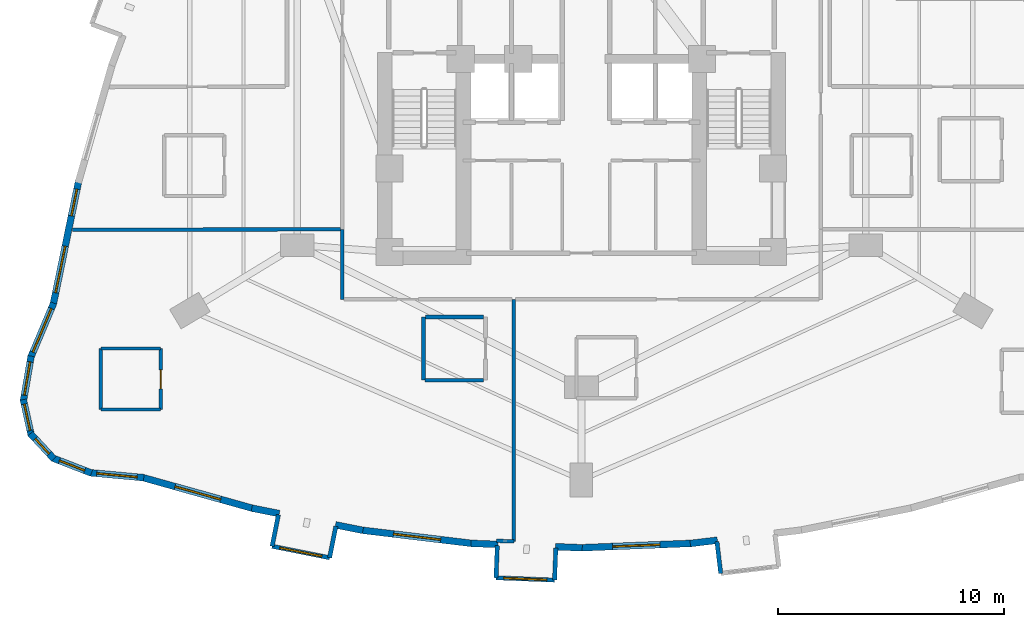
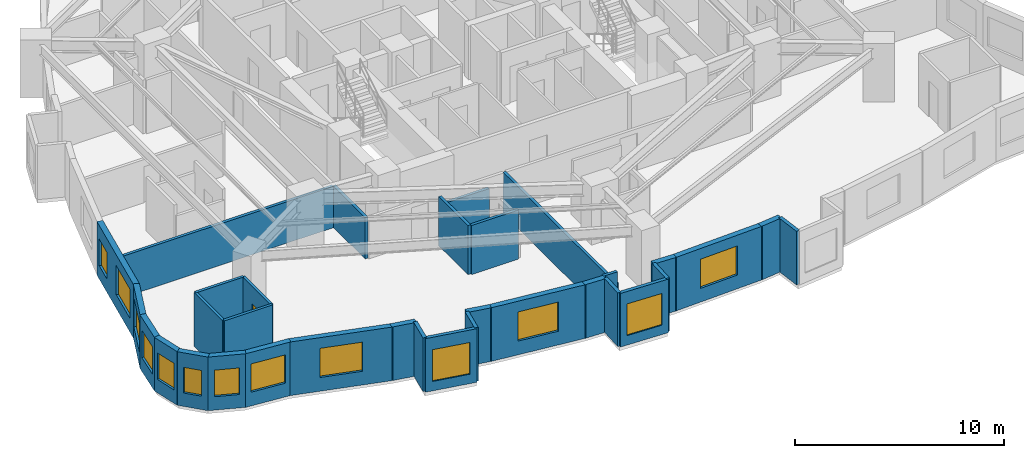
# One storey, part 6 of 13: 33 walls, 13 windows, 1 door, 14 openings.
"""IFC4 building model written with IfcOpenShell, lengths in metres."""

from ifc_helpers import new_model, si_unit, direction, frame, frame_2d, origin, place, context, subcontext, project, spatial, rectangle, extrude, material, layer, layer_set, type_object, element, fill, save


model = new_model("IFC4")

# Units and contexts
model_context = context("Model", 3, precision=1e-05, world=origin(), true_north=direction((0.0, 1.0)))
body_context = subcontext(model_context, "Body", "Model", "MODEL_VIEW")
ifc_project = project(units=[si_unit("LENGTHUNIT", "METRE"), si_unit("AREAUNIT", "SQUARE_METRE"), si_unit("VOLUMEUNIT", "CUBIC_METRE"), si_unit("PLANEANGLEUNIT", "RADIAN"), si_unit("MASSUNIT", "GRAM", prefix="KILO")], contexts=[model_context])

# Site, building, storey
site_placement = place(None, origin())
site = spatial("IfcSite", under=ifc_project, at=site_placement, CompositionType="ELEMENT")
building_placement = place(site_placement, origin())
building = spatial("IfcBuilding", under=site, at=building_placement, Name="Miruveldt Soraemaru", CompositionType="ELEMENT")
storey_placement = place(building_placement, frame((0.0, 0.0, 46.199951171875)))
storey = spatial("IfcBuildingStorey", under=building, at=storey_placement, Name="L12", CompositionType="ELEMENT", Elevation=46.199951171875)

# Walls
ifc_material_1 = material(Name="White powder-coated aluminium EN AW-6060 T6", Category="aluminium")
ifc_layer_1 = layer(ifc_material_1, 0.18994140625, Name="White powder-coated aluminium EN AW-6060 T6", Category="aluminium")
ifc_layer_set_1 = layer_set([ifc_layer_1], Name="White powder-coated aluminium EN AW-6060 T6")
wall_type_1 = type_object("IfcWallType", Name="WALL-BAY-ALU190", PredefinedType="SOLIDWALL", material=ifc_layer_set_1)
wall_1_placement = place(storey_placement, frame((30.56689453125, 23.84814453125, 0.0), z_axis=(0.0, 0.0, 1.0), x_axis=(-0.196149079112, -0.980574086321, 0.0)))
element("IfcWall", 1, at=wall_1_placement, inside=storey, type_object=wall_type_1, Name="L12 Bay Window Side Cheek 2L", PredefinedType="SOLIDWALL", context=body_context, shape_type="SweptSolid", body=[
    extrude(rectangle(XDim=1.425048828125, YDim=0.18994140625, at=frame_2d((0.71240234375, 0.0))), origin(), (0.0, 0.0, 1.0), 3.125),
])
wall_2_placement = place(storey_placement, frame((32.8369140625, 21.94091796875, 0.0), z_axis=(0.0, 0.0, 1.0), x_axis=(0.196182033934, 0.980567493629, 0.0)))
element("IfcWall", 2, at=wall_2_placement, inside=storey, type_object=wall_type_1, Name="L12 Bay Window Side Cheek 2R", PredefinedType="SOLIDWALL", context=body_context, shape_type="SweptSolid", body=[
    extrude(rectangle(XDim=1.4248046875, YDim=0.18994140625, at=frame_2d((0.71240234375, 0.0))), origin(), (0.0, 0.0, 1.0), 3.125),
])

# Wall, opening, window
wall_3_placement = place(storey_placement, frame((30.287353515625, 22.45068359375, 0.0), z_axis=(0.0, 0.0, 1.0), x_axis=(0.980591508741, -0.196061962104, 0.0)))
wall_3 = element("IfcWall", 3, at=wall_3_placement, inside=storey, type_object=wall_type_1, Name="L12 Bay Window Front Frame 2", PredefinedType="SOLIDWALL", context=body_context, shape_type="SweptSolid", body=[
    extrude(rectangle(XDim=2.60009765625, YDim=0.18994140625, at=frame_2d((1.300048828125, 0.0))), origin(), (0.0, 0.0, 1.0), 3.125),
])
opening_1_placement = place(wall_3_placement, frame((0.35009765625, 0.0, 0.550048828125)))
opening_1 = element("IfcOpeningElement", 4, at=opening_1_placement, cuts=wall_3, Name="Opening WN-6", PredefinedType="OPENING", context=body_context, shape_type="SweptSolid", body=[
    extrude(rectangle(XDim=1.89990234375, YDim=1.85009765625, at=frame_2d((0.949951171875, 0.925048828125))), frame((0.0, 0.10498046875, 0.0), z_axis=(0.0, -1.0, 0.0), x_axis=(1.0, 0.0, 0.0)), (0.0, 0.0, 1.0), 0.2099609375),
])
ifc_material_2 = material(Name="Triple low-e insulated glazing", Category="glass")
window_type_1 = type_object("IfcWindowType", Name="WIN-BAYW-1900x1850", PartitioningType="SINGLE_PANEL", PredefinedType="WINDOW", material=ifc_material_2)
window_1_placement = place(opening_1_placement, origin())
window_1 = element("IfcWindow", 5, at=window_1_placement, inside=storey, type_object=window_type_1, Name="L12 Projecting Bay Window 2", OverallHeight=1.85009765625, OverallWidth=1.89990234375, PartitioningType="SINGLE_PANEL", PredefinedType="WINDOW", context=body_context, shape_type="SweptSolid", body=[
    extrude(rectangle(XDim=1.89990234375, YDim=1.85009765625, at=frame_2d((0.949951171875, 0.925048828125))), frame((0.0, 0.030029296875, 0.0), z_axis=(0.0, -1.0, 0.0), x_axis=(1.0, 0.0, 0.0)), (0.0, 0.0, 1.0), 0.06005859375),
])
fill(opening_1, window_1)

# Walls
for number, where, z_axis, x_axis, name in (
    (6, (40.269287109375, 22.477783203125, 0.0), (0.0, 0.0, 1.0), (-0.039926977512, -0.99920260031, 0.0), "L12 Bay Window Side Cheek 3L"),
    (7, (42.810302734375, 20.9501953125, 0.0), (0.0, 0.0, 1.0), (0.039926977512, 0.99920260031, 0.0), "L12 Bay Window Side Cheek 3R"),
):
    element("IfcWall", number, at=place(storey_placement, frame(where, z_axis=z_axis, x_axis=x_axis)), inside=storey, type_object=wall_type_1, Name=name, PredefinedType="SOLIDWALL", context=body_context, shape_type="SweptSolid", body=[
        extrude(rectangle(XDim=1.4248046875, YDim=0.18994140625, at=frame_2d((0.71240234375, 0.0))), origin(), (0.0, 0.0, 1.0), 3.125),
    ])

# Wall, opening, window
wall_4_placement = place(storey_placement, frame((40.21240234375, 21.05419921875, 0.0), z_axis=(0.0, 0.0, 1.0), x_axis=(0.999199608139, -0.040001788654, 0.0)))
wall_4 = element("IfcWall", 8, at=wall_4_placement, inside=storey, type_object=wall_type_1, Name="L12 Bay Window Front Frame 3", PredefinedType="SOLIDWALL", context=body_context, shape_type="SweptSolid", body=[
    extrude(rectangle(XDim=2.60009765625, YDim=0.18994140625, at=frame_2d((1.300048828125, 0.0))), origin(), (0.0, 0.0, 1.0), 3.125),
])
opening_2_placement = place(wall_4_placement, frame((0.35009765625, 0.0, 0.550048828125)))
opening_2 = element("IfcOpeningElement", 9, at=opening_2_placement, cuts=wall_4, Name="Opening WN-6", PredefinedType="OPENING", context=body_context, shape_type="SweptSolid", body=[
    extrude(rectangle(XDim=1.89990234375, YDim=1.85009765625, at=frame_2d((0.949951171875, 0.925048828125))), frame((0.0, 0.10498046875, 0.0), z_axis=(0.0, -1.0, 0.0), x_axis=(1.0, 0.0, 0.0)), (0.0, 0.0, 1.0), 0.2099609375),
])
window_2_placement = place(opening_2_placement, origin())
window_2 = element("IfcWindow", 10, at=window_2_placement, inside=storey, type_object=window_type_1, Name="L12 Projecting Bay Window 3", OverallHeight=1.85009765625, OverallWidth=1.89990234375, PartitioningType="SINGLE_PANEL", PredefinedType="WINDOW", context=body_context, shape_type="SweptSolid", body=[
    extrude(rectangle(XDim=1.89990234375, YDim=1.85009765625, at=frame_2d((0.949951171875, 0.925048828125))), frame((0.0, 0.030029296875, 0.0), z_axis=(0.0, -1.0, 0.0), x_axis=(1.0, 0.0, 0.0)), (0.0, 0.0, 1.0), 0.06005859375),
])
fill(opening_2, window_2)

# Wall
wall_5_placement = place(storey_placement, frame((50.00439453125, 22.66015625, 0.0), z_axis=(0.0, 0.0, 1.0), x_axis=(0.119077659317, -0.992884943511, 0.0)))
element("IfcWall", 11, at=wall_5_placement, inside=storey, type_object=wall_type_1, Name="L12 Bay Window Side Cheek 4L", PredefinedType="SOLIDWALL", context=body_context, shape_type="SweptSolid", body=[
    extrude(rectangle(XDim=1.425048828125, YDim=0.18994140625, at=frame_2d((0.71240234375, 0.0))), origin(), (0.0, 0.0, 1.0), 3.125),
])

# Wall, openings, windows
ifc_material_3 = material(Name="Precast concrete C45/55 (45 MPa)", Category="concrete")
ifc_layer_2 = layer(ifc_material_3, 0.300048828125, Name="Precast concrete C45/55 (45 MPa)", Category="concrete")
ifc_layer_set_2 = layer_set([ifc_layer_2], Name="Precast concrete C45/55 (45 MPa)")
wall_type_2 = type_object("IfcWallType", Name="WALL-EXT-PC300", PredefinedType="SOLIDWALL", material=ifc_layer_set_2)
wall_6_placement = place(storey_placement, frame((21.70751953125, 38.628662109375, 0.0), z_axis=(0.0, 0.0, 1.0), x_axis=(-0.20157756221, -0.979472555212, 0.0)))
wall_6 = element("IfcWall", 12, at=wall_6_placement, inside=storey, type_object=wall_type_2, Name="L12 Precast Concrete Facade Wall 14", PredefinedType="SOLIDWALL", context=body_context, shape_type="SweptSolid", body=[
    extrude(rectangle(XDim=5.576171875, YDim=0.300048828125, at=frame_2d((2.7880859375, 0.0))), origin(), (0.0, 0.0, 1.0), 3.125),
])
opening_3_placement = place(wall_6_placement, frame((0.35888671875, 0.0, 0.780029296875)))
opening_3 = element("IfcOpeningElement", 13, at=opening_3_placement, cuts=wall_6, Name="Opening WN-4", PredefinedType="OPENING", context=body_context, shape_type="SweptSolid", body=[
    extrude(rectangle(XDim=1.199951171875, YDim=1.550048828125, at=frame_2d((0.60009765625, 0.77490234375))), frame((0.0, 0.16015625, 0.0), z_axis=(0.0, -1.0, 0.0), x_axis=(1.0, 0.0, 0.0)), (0.0, 0.0, 1.0), 0.320068359375),
])
opening_4_placement = place(wall_6_placement, frame((2.93603515625, 0.0, 0.800048828125)))
opening_4 = element("IfcOpeningElement", 14, at=opening_4_placement, cuts=wall_6, Name="Opening WN-1", PredefinedType="OPENING", context=body_context, shape_type="SweptSolid", body=[
    extrude(rectangle(XDim=2.10009765625, YDim=1.699951171875, at=frame_2d((1.050048828125, 0.85009765625))), frame((0.0, 0.16015625, 0.0), z_axis=(0.0, -1.0, 0.0), x_axis=(1.0, 0.0, 0.0)), (0.0, 0.0, 1.0), 0.320068359375),
])
window_type_2 = type_object("IfcWindowType", Name="WIN-PUNCH-1200x1550", PartitioningType="SINGLE_PANEL", PredefinedType="WINDOW", material=ifc_material_2)
window_3_placement = place(opening_3_placement, origin())
window_3 = element("IfcWindow", 15, at=window_3_placement, inside=storey, type_object=window_type_2, Name="L12 Punched Triple-Glazed Window 14.1", OverallHeight=1.550048828125, OverallWidth=1.199951171875, PartitioningType="SINGLE_PANEL", PredefinedType="WINDOW", context=body_context, shape_type="SweptSolid", body=[
    extrude(rectangle(XDim=1.199951171875, YDim=1.550048828125, at=frame_2d((0.60009765625, 0.77490234375))), frame((0.0, 0.030029296875, 0.0), z_axis=(0.0, -1.0, 0.0), x_axis=(1.0, 0.0, 0.0)), (0.0, 0.0, 1.0), 0.06005859375),
])
fill(opening_3, window_3)
window_type_3 = type_object("IfcWindowType", Name="WIN-PUNCH-2100x1700", PartitioningType="SINGLE_PANEL", PredefinedType="WINDOW", material=ifc_material_2)
window_4_placement = place(opening_4_placement, origin())
window_4 = element("IfcWindow", 16, at=window_4_placement, inside=storey, type_object=window_type_3, Name="L12 Punched Triple-Glazed Window 14.2", OverallHeight=1.699951171875, OverallWidth=2.10009765625, PartitioningType="SINGLE_PANEL", PredefinedType="WINDOW", context=body_context, shape_type="SweptSolid", body=[
    extrude(rectangle(XDim=2.10009765625, YDim=1.699951171875, at=frame_2d((1.050048828125, 0.85009765625))), frame((0.0, 0.030029296875, 0.0), z_axis=(0.0, -1.0, 0.0), x_axis=(1.0, 0.0, 0.0)), (0.0, 0.0, 1.0), 0.06005859375),
])
fill(opening_4, window_4)

# Wall, opening, window
wall_7_placement = place(storey_placement, frame((20.604248046875, 33.2333984375, 0.0), z_axis=(0.0, 0.0, 1.0), x_axis=(-0.388605550907, -0.921404214123, 0.0)))
wall_7 = element("IfcWall", 17, at=wall_7_placement, inside=storey, type_object=wall_type_2, Name="L12 Precast Concrete Facade Wall 15", PredefinedType="SOLIDWALL", context=body_context, shape_type="SweptSolid", body=[
    extrude(rectangle(XDim=2.6259765625, YDim=0.300048828125, at=frame_2d((1.31298828125, 0.0))), origin(), (0.0, 0.0, 1.0), 3.125),
])
opening_5_placement = place(wall_7_placement, frame((0.262939453125, 0.0, 0.800048828125)))
opening_5 = element("IfcOpeningElement", 18, at=opening_5_placement, cuts=wall_7, Name="Opening WN-1", PredefinedType="OPENING", context=body_context, shape_type="SweptSolid", body=[
    extrude(rectangle(XDim=2.10009765625, YDim=1.699951171875, at=frame_2d((1.050048828125, 0.85009765625))), frame((0.0, 0.16015625, 0.0), z_axis=(0.0, -1.0, 0.0), x_axis=(1.0, 0.0, 0.0)), (0.0, 0.0, 1.0), 0.320068359375),
])
window_5_placement = place(opening_5_placement, origin())
window_5 = element("IfcWindow", 19, at=window_5_placement, inside=storey, type_object=window_type_3, Name="L12 Punched Triple-Glazed Window 15.1", OverallHeight=1.699951171875, OverallWidth=2.10009765625, PartitioningType="SINGLE_PANEL", PredefinedType="WINDOW", context=body_context, shape_type="SweptSolid", body=[
    extrude(rectangle(XDim=2.10009765625, YDim=1.699951171875, at=frame_2d((1.050048828125, 0.85009765625))), frame((0.0, 0.030029296875, 0.0), z_axis=(0.0, -1.0, 0.0), x_axis=(1.0, 0.0, 0.0)), (0.0, 0.0, 1.0), 0.06005859375),
])
fill(opening_5, window_5)

wall_8_placement = place(storey_placement, frame((19.603271484375, 30.880615234375, 0.0), z_axis=(0.0, 0.0, 1.0), x_axis=(-0.169361944639, -0.985553921259, 0.0)))
wall_8 = element("IfcWall", 20, at=wall_8_placement, inside=storey, type_object=wall_type_2, Name="L12 Precast Concrete Facade Wall 16", PredefinedType="SOLIDWALL", context=body_context, shape_type="SweptSolid", body=[
    extrude(rectangle(XDim=2.025390625, YDim=0.300048828125, at=frame_2d((1.0126953125, 0.0))), origin(), (0.0, 0.0, 1.0), 3.125),
])
opening_6_placement = place(wall_8_placement, frame((0.261962890625, 0.0, 0.800048828125)))
opening_6 = element("IfcOpeningElement", 21, at=opening_6_placement, cuts=wall_8, Name="Opening WN-3", PredefinedType="OPENING", context=body_context, shape_type="SweptSolid", body=[
    extrude(rectangle(XDim=1.5, YDim=1.60009765625, at=frame_2d((0.75, 0.800048828125))), frame((0.0, 0.16015625, 0.0), z_axis=(0.0, -1.0, 0.0), x_axis=(1.0, 0.0, 0.0)), (0.0, 0.0, 1.0), 0.320068359375),
])
window_type_4 = type_object("IfcWindowType", Name="WIN-PUNCH-1500x1600", PartitioningType="SINGLE_PANEL", PredefinedType="WINDOW", material=ifc_material_2)
window_6_placement = place(opening_6_placement, origin())
window_6 = element("IfcWindow", 22, at=window_6_placement, inside=storey, type_object=window_type_4, Name="L12 Punched Triple-Glazed Window 16.1", OverallHeight=1.60009765625, OverallWidth=1.5, PartitioningType="SINGLE_PANEL", PredefinedType="WINDOW", context=body_context, shape_type="SweptSolid", body=[
    extrude(rectangle(XDim=1.5, YDim=1.60009765625, at=frame_2d((0.75, 0.800048828125))), frame((0.0, 0.030029296875, 0.0), z_axis=(0.0, -1.0, 0.0), x_axis=(1.0, 0.0, 0.0)), (0.0, 0.0, 1.0), 0.06005859375),
])
fill(opening_6, window_6)

wall_9_placement = place(storey_placement, frame((19.258544921875, 28.953369140625, 0.0), z_axis=(0.0, 0.0, 1.0), x_axis=(0.215851203475, -0.976426268573, 0.0)))
wall_9 = element("IfcWall", 23, at=wall_9_placement, inside=storey, type_object=wall_type_2, Name="L12 Precast Concrete Facade Wall 17", PredefinedType="SOLIDWALL", context=body_context, shape_type="SweptSolid", body=[
    extrude(rectangle(XDim=1.60498046875, YDim=0.300048828125, at=frame_2d((0.802490234375, 0.0))), origin(), (0.0, 0.0, 1.0), 3.125),
])
opening_7_placement = place(wall_9_placement, frame((0.202880859375, 0.0, 0.780029296875)))
opening_7 = element("IfcOpeningElement", 24, at=opening_7_placement, cuts=wall_9, Name="Opening WN-4", PredefinedType="OPENING", context=body_context, shape_type="SweptSolid", body=[
    extrude(rectangle(XDim=1.199951171875, YDim=1.550048828125, at=frame_2d((0.60009765625, 0.77490234375))), frame((0.0, 0.16015625, 0.0), z_axis=(0.0, -1.0, 0.0), x_axis=(1.0, 0.0, 0.0)), (0.0, 0.0, 1.0), 0.320068359375),
])
window_7_placement = place(opening_7_placement, origin())
window_7 = element("IfcWindow", 25, at=window_7_placement, inside=storey, type_object=window_type_2, Name="L12 Punched Triple-Glazed Window 17.1", OverallHeight=1.550048828125, OverallWidth=1.199951171875, PartitioningType="SINGLE_PANEL", PredefinedType="WINDOW", context=body_context, shape_type="SweptSolid", body=[
    extrude(rectangle(XDim=1.199951171875, YDim=1.550048828125, at=frame_2d((0.60009765625, 0.77490234375))), frame((0.0, 0.030029296875, 0.0), z_axis=(0.0, -1.0, 0.0), x_axis=(1.0, 0.0, 0.0)), (0.0, 0.0, 1.0), 0.06005859375),
])
fill(opening_7, window_7)

wall_10_placement = place(storey_placement, frame((19.573486328125, 27.446044921875, 0.0), z_axis=(0.0, 0.0, 1.0), x_axis=(0.680212432131, -0.733015038846, 0.0)))
wall_10 = element("IfcWall", 26, at=wall_10_placement, inside=storey, type_object=wall_type_2, Name="L12 Precast Concrete Facade Wall 18", PredefinedType="SOLIDWALL", context=body_context, shape_type="SweptSolid", body=[
    extrude(rectangle(XDim=1.530517578125, YDim=0.300048828125, at=frame_2d((0.76513671875, 0.0))), origin(), (0.0, 0.0, 1.0), 3.125),
])
opening_8_placement = place(wall_10_placement, frame((0.31494140625, 0.0, 0.780029296875)))
opening_8 = element("IfcOpeningElement", 27, at=opening_8_placement, cuts=wall_10, Name="Opening WN-7", PredefinedType="OPENING", context=body_context, shape_type="SweptSolid", body=[
    extrude(rectangle(XDim=0.89990234375, YDim=1.5, at=frame_2d((0.449951171875, 0.75))), frame((0.0, 0.16015625, 0.0), z_axis=(0.0, -1.0, 0.0), x_axis=(1.0, 0.0, 0.0)), (0.0, 0.0, 1.0), 0.320068359375),
])
window_type_5 = type_object("IfcWindowType", Name="WIN-PUNCH-900x1500", PartitioningType="SINGLE_PANEL", PredefinedType="WINDOW", material=ifc_material_2)
window_8_placement = place(opening_8_placement, origin())
window_8 = element("IfcWindow", 28, at=window_8_placement, inside=storey, type_object=window_type_5, Name="L12 Punched Triple-Glazed Window 18.1", OverallHeight=1.5, OverallWidth=0.89990234375, PartitioningType="SINGLE_PANEL", PredefinedType="WINDOW", context=body_context, shape_type="SweptSolid", body=[
    extrude(rectangle(XDim=0.89990234375, YDim=1.5, at=frame_2d((0.449951171875, 0.75))), frame((0.0, 0.030029296875, 0.0), z_axis=(0.0, -1.0, 0.0), x_axis=(1.0, 0.0, 0.0)), (0.0, 0.0, 1.0), 0.06005859375),
])
fill(opening_8, window_8)

wall_11_placement = place(storey_placement, frame((20.55810546875, 26.362548828125, 0.0), z_axis=(0.0, 0.0, 1.0), x_axis=(0.93226755556, -0.361769546603, 0.0)))
wall_11 = element("IfcWall", 29, at=wall_11_placement, inside=storey, type_object=wall_type_2, Name="L12 Precast Concrete Facade Wall 19", PredefinedType="SOLIDWALL", context=body_context, shape_type="SweptSolid", body=[
    extrude(rectangle(XDim=1.845703125, YDim=0.300048828125, at=frame_2d((0.9228515625, 0.0))), origin(), (0.0, 0.0, 1.0), 3.125),
])
opening_9_placement = place(wall_11_placement, frame((0.322998046875, 0.0, 0.780029296875)))
opening_9 = element("IfcOpeningElement", 30, at=opening_9_placement, cuts=wall_11, Name="Opening WN-4", PredefinedType="OPENING", context=body_context, shape_type="SweptSolid", body=[
    extrude(rectangle(XDim=1.199951171875, YDim=1.550048828125, at=frame_2d((0.60009765625, 0.77490234375))), frame((0.0, 0.16015625, 0.0), z_axis=(0.0, -1.0, 0.0), x_axis=(1.0, 0.0, 0.0)), (0.0, 0.0, 1.0), 0.320068359375),
])
window_9_placement = place(opening_9_placement, origin())
window_9 = element("IfcWindow", 31, at=window_9_placement, inside=storey, type_object=window_type_2, Name="L12 Punched Triple-Glazed Window 19.1", OverallHeight=1.550048828125, OverallWidth=1.199951171875, PartitioningType="SINGLE_PANEL", PredefinedType="WINDOW", context=body_context, shape_type="SweptSolid", body=[
    extrude(rectangle(XDim=1.199951171875, YDim=1.550048828125, at=frame_2d((0.60009765625, 0.77490234375))), frame((0.0, 0.030029296875, 0.0), z_axis=(0.0, -1.0, 0.0), x_axis=(1.0, 0.0, 0.0)), (0.0, 0.0, 1.0), 0.06005859375),
])
fill(opening_9, window_9)

wall_12_placement = place(storey_placement, frame((22.211181640625, 25.710693359375, 0.0), z_axis=(0.0, 0.0, 1.0), x_axis=(0.995763667414, -0.091949544092, 0.0)))
wall_12 = element("IfcWall", 32, at=wall_12_placement, inside=storey, type_object=wall_type_2, Name="L12 Precast Concrete Facade Wall 20", PredefinedType="SOLIDWALL", context=body_context, shape_type="SweptSolid", body=[
    extrude(rectangle(XDim=2.397705078125, YDim=0.300048828125, at=frame_2d((1.19873046875, 0.0))), origin(), (0.0, 0.0, 1.0), 3.125),
])
opening_10_placement = place(wall_12_placement, frame((0.299072265625, 0.0, 0.800048828125)))
opening_10 = element("IfcOpeningElement", 33, at=opening_10_placement, cuts=wall_12, Name="Opening WN-2", PredefinedType="OPENING", context=body_context, shape_type="SweptSolid", body=[
    extrude(rectangle(XDim=1.800048828125, YDim=1.64990234375, at=frame_2d((0.89990234375, 0.824951171875))), frame((0.0, 0.16015625, 0.0), z_axis=(0.0, -1.0, 0.0), x_axis=(1.0, 0.0, 0.0)), (0.0, 0.0, 1.0), 0.320068359375),
])
window_type_6 = type_object("IfcWindowType", Name="WIN-PUNCH-1800x1650", PartitioningType="SINGLE_PANEL", PredefinedType="WINDOW", material=ifc_material_2)
window_10_placement = place(opening_10_placement, origin())
window_10 = element("IfcWindow", 34, at=window_10_placement, inside=storey, type_object=window_type_6, Name="L12 Punched Triple-Glazed Window 20.1", OverallHeight=1.64990234375, OverallWidth=1.800048828125, PartitioningType="SINGLE_PANEL", PredefinedType="WINDOW", context=body_context, shape_type="SweptSolid", body=[
    extrude(rectangle(XDim=1.800048828125, YDim=1.64990234375, at=frame_2d((0.89990234375, 0.824951171875))), frame((0.0, 0.030029296875, 0.0), z_axis=(0.0, -1.0, 0.0), x_axis=(1.0, 0.0, 0.0)), (0.0, 0.0, 1.0), 0.06005859375),
])
fill(opening_10, window_10)

wall_13_placement = place(storey_placement, frame((24.530029296875, 25.5029296875, 0.0), z_axis=(0.0, 0.0, 1.0), x_axis=(0.962965506561, -0.269624615297, 0.0)))
wall_13 = element("IfcWall", 35, at=wall_13_placement, inside=storey, type_object=wall_type_2, Name="L12 Precast Concrete Facade Wall 21", PredefinedType="SOLIDWALL", context=body_context, shape_type="SweptSolid", body=[
    extrude(rectangle(XDim=5.115966796875, YDim=0.300048828125, at=frame_2d((2.55810546875, 0.0))), origin(), (0.0, 0.0, 1.0), 3.125),
])
opening_11_placement = place(wall_13_placement, frame((1.508056640625, 0.0, 0.800048828125)))
opening_11 = element("IfcOpeningElement", 36, at=opening_11_placement, cuts=wall_13, Name="Opening WN-1", PredefinedType="OPENING", context=body_context, shape_type="SweptSolid", body=[
    extrude(rectangle(XDim=2.10009765625, YDim=1.699951171875, at=frame_2d((1.050048828125, 0.85009765625))), frame((0.0, 0.16015625, 0.0), z_axis=(0.0, -1.0, 0.0), x_axis=(1.0, 0.0, 0.0)), (0.0, 0.0, 1.0), 0.320068359375),
])
window_11_placement = place(opening_11_placement, origin())
window_11 = element("IfcWindow", 37, at=window_11_placement, inside=storey, type_object=window_type_3, Name="L12 Punched Triple-Glazed Window 21.1", OverallHeight=1.699951171875, OverallWidth=2.10009765625, PartitioningType="SINGLE_PANEL", PredefinedType="WINDOW", context=body_context, shape_type="SweptSolid", body=[
    extrude(rectangle(XDim=2.10009765625, YDim=1.699951171875, at=frame_2d((1.050048828125, 0.85009765625))), frame((0.0, 0.030029296875, 0.0), z_axis=(0.0, -1.0, 0.0), x_axis=(1.0, 0.0, 0.0)), (0.0, 0.0, 1.0), 0.06005859375),
])
fill(opening_11, window_11)

# Walls
for number, where, z_axis, x_axis, name in (
    (38, (29.388671875, 24.139892578125, 0.0), (0.0, 0.0, 1.0), (0.980580675691, -0.196116135138, 0.0), "L12 Precast Pier Wall 22A"),
    (39, (33.097900390625, 23.39794921875, 0.0), (0.0, 0.0, 1.0), (0.980580675691, -0.196116135138, 0.0), "L12 Precast Pier Wall 22B"),
):
    element("IfcWall", number, at=place(storey_placement, frame(where, z_axis=z_axis, x_axis=x_axis)), inside=storey, type_object=wall_type_2, Name=name, PredefinedType="SOLIDWALL", context=body_context, shape_type="SweptSolid", body=[
        extrude(rectangle(XDim=1.242431640625, YDim=0.300048828125, at=frame_2d((0.62109375, 0.0))), origin(), (0.0, 0.0, 1.0), 3.125),
    ])

# Wall, opening, window
wall_14_placement = place(storey_placement, frame((34.2470703125, 23.165283203125, 0.0), z_axis=(0.0, 0.0, 1.0), x_axis=(0.992880096209, -0.119118069795, 0.0)))
wall_14 = element("IfcWall", 40, at=wall_14_placement, inside=storey, type_object=wall_type_2, Name="L12 Precast Concrete Facade Wall 23", PredefinedType="SOLIDWALL", context=body_context, shape_type="SweptSolid", body=[
    extrude(rectangle(XDim=4.964111328125, YDim=0.300048828125, at=frame_2d((2.48193359375, 0.0))), origin(), (0.0, 0.0, 1.0), 3.125),
])
opening_12_placement = place(wall_14_placement, frame((1.431884765625, 0.0, 0.800048828125)))
opening_12 = element("IfcOpeningElement", 41, at=opening_12_placement, cuts=wall_14, Name="Opening WN-1", PredefinedType="OPENING", context=body_context, shape_type="SweptSolid", body=[
    extrude(rectangle(XDim=2.10009765625, YDim=1.699951171875, at=frame_2d((1.050048828125, 0.85009765625))), frame((0.0, 0.16015625, 0.0), z_axis=(0.0, -1.0, 0.0), x_axis=(1.0, 0.0, 0.0)), (0.0, 0.0, 1.0), 0.320068359375),
])
window_12_placement = place(opening_12_placement, origin())
window_12 = element("IfcWindow", 42, at=window_12_placement, inside=storey, type_object=window_type_3, Name="L12 Punched Triple-Glazed Window 23.1", OverallHeight=1.699951171875, OverallWidth=2.10009765625, PartitioningType="SINGLE_PANEL", PredefinedType="WINDOW", context=body_context, shape_type="SweptSolid", body=[
    extrude(rectangle(XDim=2.10009765625, YDim=1.699951171875, at=frame_2d((1.050048828125, 0.85009765625))), frame((0.0, 0.030029296875, 0.0), z_axis=(0.0, -1.0, 0.0), x_axis=(1.0, 0.0, 0.0)), (0.0, 0.0, 1.0), 0.06005859375),
])
fill(opening_12, window_12)

# Walls
wall_15_placement = place(storey_placement, frame((39.10595703125, 22.57958984375, 0.0), z_axis=(0.0, 0.0, 1.0), x_axis=(0.99919998058, -0.039992484418, 0.0)))
element("IfcWall", 43, at=wall_15_placement, inside=storey, type_object=wall_type_2, Name="L12 Precast Pier Wall 24A", PredefinedType="SOLIDWALL", context=body_context, shape_type="SweptSolid", body=[
    extrude(rectangle(XDim=1.196533203125, YDim=0.300048828125, at=frame_2d((0.59814453125, 0.0))), origin(), (0.0, 0.0, 1.0), 3.125),
])
wall_16_placement = place(storey_placement, frame((42.839599609375, 22.43017578125, 0.0), z_axis=(0.0, 0.0, 1.0), x_axis=(0.999199654133, -0.040000639749, 0.0)))
element("IfcWall", 44, at=wall_16_placement, inside=storey, type_object=wall_type_2, Name="L12 Precast Pier Wall 24B", PredefinedType="SOLIDWALL", context=body_context, shape_type="SweptSolid", body=[
    extrude(rectangle(XDim=1.1962890625, YDim=0.300048828125, at=frame_2d((0.59814453125, 0.0))), origin(), (0.0, 0.0, 1.0), 3.125),
])

# Wall, opening, window
wall_17_placement = place(storey_placement, frame((43.965087890625, 22.38232421875, 0.0), z_axis=(0.0, 0.0, 1.0), x_axis=(0.999200088812, 0.039989780165, 0.0)))
wall_17 = element("IfcWall", 45, at=wall_17_placement, inside=storey, type_object=wall_type_2, Name="L12 Precast Concrete Facade Wall 25", PredefinedType="SOLIDWALL", context=body_context, shape_type="SweptSolid", body=[
    extrude(rectangle(XDim=4.932861328125, YDim=0.300048828125, at=frame_2d((2.46630859375, 0.0))), origin(), (0.0, 0.0, 1.0), 3.125),
])
opening_13_placement = place(wall_17_placement, frame((1.416015625, 0.0, 0.800048828125)))
opening_13 = element("IfcOpeningElement", 46, at=opening_13_placement, cuts=wall_17, Name="Opening WN-1", PredefinedType="OPENING", context=body_context, shape_type="SweptSolid", body=[
    extrude(rectangle(XDim=2.10009765625, YDim=1.699951171875, at=frame_2d((1.050048828125, 0.85009765625))), frame((0.0, 0.16015625, 0.0), z_axis=(0.0, -1.0, 0.0), x_axis=(1.0, 0.0, 0.0)), (0.0, 0.0, 1.0), 0.320068359375),
])
window_13_placement = place(opening_13_placement, origin())
window_13 = element("IfcWindow", 47, at=window_13_placement, inside=storey, type_object=window_type_3, Name="L12 Punched Triple-Glazed Window 25.1", OverallHeight=1.699951171875, OverallWidth=2.10009765625, PartitioningType="SINGLE_PANEL", PredefinedType="WINDOW", context=body_context, shape_type="SweptSolid", body=[
    extrude(rectangle(XDim=2.10009765625, YDim=1.699951171875, at=frame_2d((1.050048828125, 0.85009765625))), frame((0.0, 0.030029296875, 0.0), z_axis=(0.0, -1.0, 0.0), x_axis=(1.0, 0.0, 0.0)), (0.0, 0.0, 1.0), 0.06005859375),
])
fill(opening_13, window_13)

# Wall
wall_18_placement = place(storey_placement, frame((48.82421875, 22.573974609375, 0.0), z_axis=(0.0, 0.0, 1.0), x_axis=(0.992864442114, 0.119248478339, 0.0)))
element("IfcWall", 48, at=wall_18_placement, inside=storey, type_object=wall_type_2, Name="L12 Precast Pier Wall 26A", PredefinedType="SOLIDWALL", context=body_context, shape_type="SweptSolid", body=[
    extrude(rectangle(XDim=1.2119140625, YDim=0.300048828125, at=frame_2d((0.60595703125, 0.0))), origin(), (0.0, 0.0, 1.0), 3.125),
])

# Wall, opening, door
ifc_material_4 = material(Name="Gypsum plasterboard lining", Category="gypsum")
ifc_layer_3 = layer(ifc_material_4, 0.14990234375, Name="Gypsum plasterboard lining", Category="gypsum")
ifc_layer_set_3 = layer_set([ifc_layer_3], Name="Gypsum plasterboard lining")
wall_type_3 = type_object("IfcWallType", Name="WALL-INT-PLUMB", PredefinedType="PLUMBINGWALL", material=ifc_layer_set_3)
wall_19_placement = place(storey_placement, frame((25.345947265625, 28.51611328125, 0.0), z_axis=(0.0, 0.0, 1.0), x_axis=(0.0, 1.0, 0.0)))
wall_19 = element("IfcWall", 49, at=wall_19_placement, inside=storey, type_object=wall_type_3, Name="L12 Partition Wall 68", PredefinedType="PLUMBINGWALL", context=body_context, shape_type="SweptSolid", body=[
    extrude(rectangle(XDim=2.699951171875, YDim=0.14990234375, at=frame_2d((1.35009765625, 0.0))), origin(), (0.0, 0.0, 1.0), 3.125),
])
opening_14_placement = place(wall_19_placement, frame((0.909912109375, 0.0, 0.0)))
opening_14 = element("IfcOpeningElement", 50, at=opening_14_placement, cuts=wall_19, Name="Opening FD3", PredefinedType="OPENING", context=body_context, shape_type="SweptSolid", body=[
    extrude(rectangle(XDim=0.85009765625, YDim=2.10009765625, at=frame_2d((0.425048828125, 1.050048828125))), frame((0.0, 0.0849609375, 0.0), z_axis=(0.0, -1.0, 0.0), x_axis=(1.0, 0.0, 0.0)), (0.0, 0.0, 1.0), 0.169921875),
])
ifc_material_5 = material(Name="Anodised aluminium EN AW-6063 T6", Category="aluminium")
door_type = type_object("IfcDoorType", Name="DOOR-FD3-850", OperationType="NOTDEFINED", PredefinedType="DOOR", material=ifc_material_5)
door_placement = place(opening_14_placement, origin())
door = element("IfcDoor", 51, at=door_placement, inside=storey, type_object=door_type, Name="L12 Unit CL07 BTH Door", OperationType="SINGLE_SWING_LEFT", OverallHeight=2.10009765625, OverallWidth=0.85009765625, PredefinedType="DOOR", context=body_context, shape_type="SweptSolid", body=[
    extrude(rectangle(XDim=0.85009765625, YDim=2.10009765625, at=frame_2d((0.425048828125, 1.050048828125))), frame((0.0, 0.02490234375, 0.0), z_axis=(0.0, -1.0, 0.0), x_axis=(1.0, 0.0, 0.0)), (0.0, 0.0, 1.0), 0.050048828125),
])
fill(opening_14, door)

# Walls
wall_20_placement = place(storey_placement, frame((22.696044921875, 31.216064453125, 0.0), z_axis=(0.0, 0.0, 1.0), x_axis=(0.0, -1.0, 0.0)))
element("IfcWall", 52, at=wall_20_placement, inside=storey, type_object=wall_type_3, Name="L12 Partition Wall 70", PredefinedType="PLUMBINGWALL", context=body_context, shape_type="SweptSolid", body=[
    extrude(rectangle(XDim=2.699951171875, YDim=0.14990234375, at=frame_2d((1.35009765625, 0.0))), origin(), (0.0, 0.0, 1.0), 3.125),
])
for number, where, z_axis, x_axis, name in (
    (53, (25.345947265625, 31.216064453125, 0.0), (0.0, 0.0, 1.0), (-1.0, 0.0, 0.0), "L12 Partition Wall 69"),
    (54, (22.696044921875, 28.51611328125, 0.0), (0.0, 0.0, 1.0), (1.0, 0.0, 0.0), "L12 Partition Wall 71"),
):
    element("IfcWall", number, at=place(storey_placement, frame(where, z_axis=z_axis, x_axis=x_axis)), inside=storey, type_object=wall_type_3, Name=name, PredefinedType="PLUMBINGWALL", context=body_context, shape_type="SweptSolid", body=[
        extrude(rectangle(XDim=2.64990234375, YDim=0.14990234375, at=frame_2d((1.324951171875, 0.0))), origin(), (0.0, 0.0, 1.0), 3.125),
    ])
ifc_material_6 = material(Name="Concrete C40/50 (40 MPa)", Category="concrete")
ifc_layer_4 = layer(ifc_material_6, 0.159912109375, Name="Concrete C40/50 (40 MPa)", Category="concrete")
ifc_layer_set_4 = layer_set([ifc_layer_4], Name="Concrete C40/50 (40 MPa)")
wall_type_4 = type_object("IfcWallType", Name="WALL-INT-RC160", PredefinedType="SOLIDWALL", material=ifc_layer_set_4)
wall_21_placement = place(storey_placement, frame((21.43408203125, 36.48291015625, 0.0), z_axis=(0.0, 0.0, 1.0), x_axis=(0.999998966346, 0.001437813036, 0.0)))
element("IfcWall", 55, at=wall_21_placement, inside=storey, type_object=wall_type_4, Name="L12 Partition Wall 52", PredefinedType="SOLIDWALL", context=body_context, shape_type="SweptSolid", body=[
    extrude(rectangle(XDim=11.885986328125, YDim=0.159912109375, at=frame_2d((5.94287109375, 0.0))), origin(), (0.0, 0.0, 1.0), 2.4130859375),
])
wall_22_placement = place(storey_placement, frame((41.0029296875, 22.6689453125, 0.0), z_axis=(0.0, 0.0, 1.0), x_axis=(-0.000273012685, 0.999999962732, 0.0)))
element("IfcWall", 56, at=wall_22_placement, inside=storey, type_object=wall_type_4, Name="L12 Partition Wall 76", PredefinedType="SOLIDWALL", context=body_context, shape_type="SweptSolid", body=[
    extrude(rectangle(XDim=10.73095703125, YDim=0.159912109375, at=frame_2d((5.365478515625, 0.0))), origin(), (0.0, 0.0, 1.0), 2.4130859375),
])
wall_23_placement = place(storey_placement, frame((33.39990234375, 36.5, 0.0), z_axis=(0.0, 0.0, 1.0), x_axis=(0.0, -1.0, 0.0)))
element("IfcWall", 57, at=wall_23_placement, inside=storey, type_object=wall_type_4, Name="L12 Partition Wall 9", PredefinedType="SOLIDWALL", context=body_context, shape_type="SweptSolid", body=[
    extrude(rectangle(XDim=3.10009765625, YDim=0.159912109375, at=frame_2d((1.550048828125, 0.0))), origin(), (0.0, 0.0, 1.0), 2.4130859375),
])
wall_24_placement = place(storey_placement, frame((36.99609375, 32.615966796875, 0.0), z_axis=(0.0, 0.0, 1.0), x_axis=(0.0, -1.0, 0.0)))
element("IfcWall", 58, at=wall_24_placement, inside=storey, type_object=wall_type_4, Name="L12 Partition Wall 74", PredefinedType="SOLIDWALL", context=body_context, shape_type="SweptSolid", body=[
    extrude(rectangle(XDim=2.800048828125, YDim=0.159912109375, at=frame_2d((1.39990234375, 0.0))), origin(), (0.0, 0.0, 1.0), 2.863037109375),
])
wall_25_placement = place(storey_placement, frame((39.666015625, 32.615966796875, 0.0), z_axis=(0.0, 0.0, 1.0), x_axis=(-1.0, 0.0, 0.0)))
element("IfcWall", 59, at=wall_25_placement, inside=storey, type_object=wall_type_4, Name="L12 Partition Wall 73", PredefinedType="SOLIDWALL", context=body_context, shape_type="SweptSolid", body=[
    extrude(rectangle(XDim=2.590087890625, YDim=0.159912109375, at=frame_2d((1.294921875, 0.0))), origin(), (0.0, 0.0, 1.0), 2.4130859375),
])
wall_26_placement = place(storey_placement, frame((37.075927734375, 29.81591796875, 0.0), z_axis=(0.0, 0.0, 1.0), x_axis=(1.0, 0.0, 0.0)))
element("IfcWall", 60, at=wall_26_placement, inside=storey, type_object=wall_type_4, Name="L12 Partition Wall 75", PredefinedType="SOLIDWALL", context=body_context, shape_type="SweptSolid", body=[
    extrude(rectangle(XDim=2.590087890625, YDim=0.159912109375, at=frame_2d((1.294921875, 0.0))), origin(), (0.0, 0.0, 1.0), 2.863037109375),
])
wall_27_placement = place(storey_placement, frame((41.0029296875, 22.6689453125, 0.0), z_axis=(0.0, 0.0, 1.0), x_axis=(-0.999523980755, 0.030851448855, 0.0)))
element("IfcWall", 61, at=wall_27_placement, inside=storey, type_object=wall_type_4, Name="L12 Partition Closure Return 1", PredefinedType="SOLIDWALL", context=body_context, shape_type="SweptSolid", body=[
    extrude(rectangle(XDim=0.775634765625, YDim=0.159912109375, at=frame_2d((0.3876953125, 0.0))), origin(), (0.0, 0.0, 1.0), 3.125),
])

save(model, "model.ifc")
